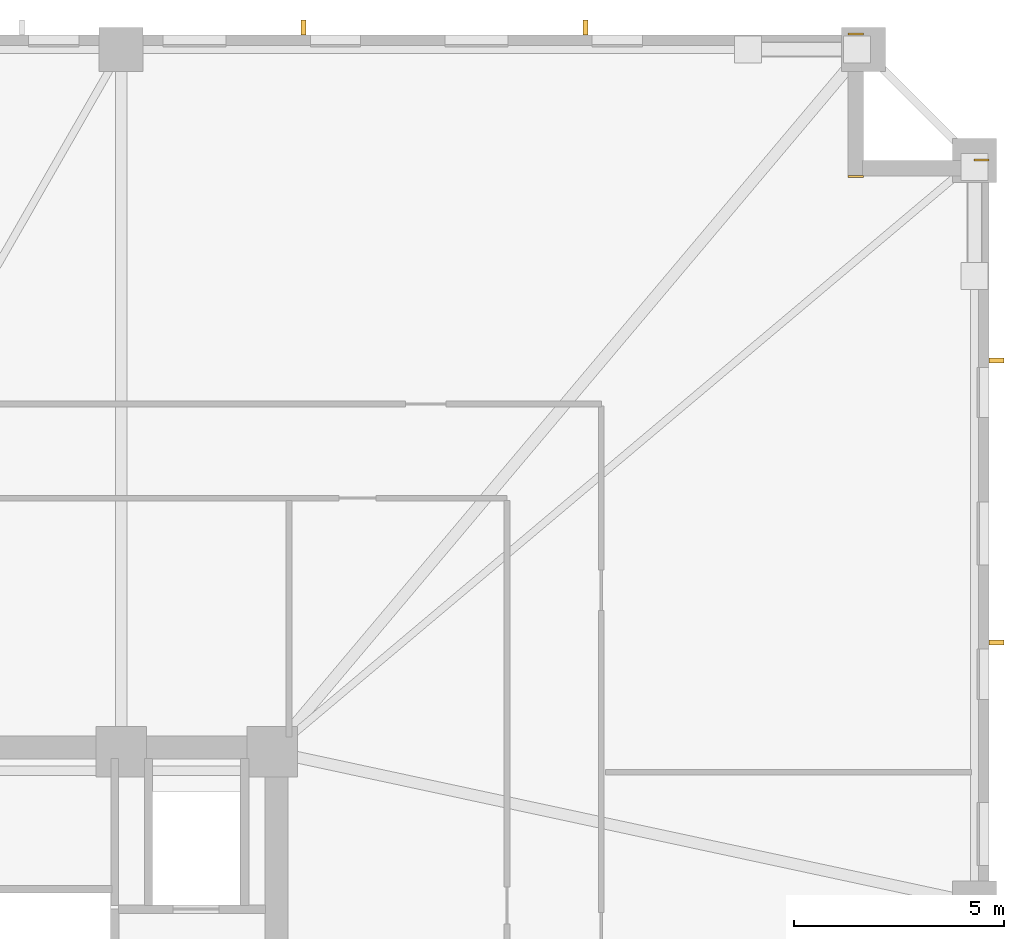
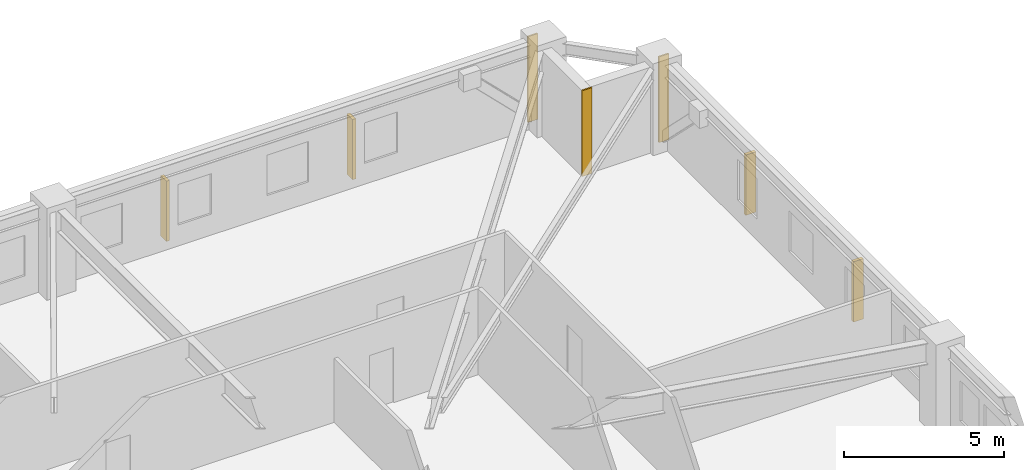
# One storey, part 11 of 11: 4 shading devices, 3 coverings.
"""IFC4 building model written with IfcOpenShell, lengths in metres."""

from ifc_helpers import new_model, si_unit, direction, frame, frame_2d, origin, origin_2d, place, context, subcontext, project, spatial, rectangle, extrude, material, layer, layer_set, type_object, element, save


model = new_model("IFC4")

# Units and contexts
model_context = context("Model", 3, precision=1e-05, world=origin(), true_north=direction((0.0, 1.0)))
body_context = subcontext(model_context, "Body", "Model", "MODEL_VIEW")
ifc_project = project(units=[si_unit("LENGTHUNIT", "METRE"), si_unit("AREAUNIT", "SQUARE_METRE"), si_unit("VOLUMEUNIT", "CUBIC_METRE"), si_unit("PLANEANGLEUNIT", "RADIAN"), si_unit("MASSUNIT", "GRAM", prefix="KILO")], contexts=[model_context])

# Site, building, storey
site_placement = place(None, origin())
site = spatial("IfcSite", under=ifc_project, at=site_placement, CompositionType="ELEMENT")
building_placement = place(site_placement, origin())
building = spatial("IfcBuilding", under=site, at=building_placement, Name="Cairnveth Concourse Tower", CompositionType="ELEMENT")
storey_placement = place(building_placement, frame((0.0, 0.0, 41.0)))
storey = spatial("IfcBuildingStorey", under=building, at=storey_placement, Name="L10", CompositionType="ELEMENT", Elevation=41.0)

# Coverings
ifc_material_1 = material(Name="Dressed Melbourne Bluestone Cladding", Category="masonry")
ifc_layer = layer(ifc_material_1, 0.050048828125)
ifc_layer_set = layer_set([ifc_layer], Name="Dressed Melbourne Bluestone Cladding")
covering_type = type_object("IfcCoveringType", Name="DRESSED BLUESTONE PLINTH CLADDING 50", PredefinedType="CLADDING", material=ifc_layer_set)
for number, where, z_axis, x_axis, name in (
    (1, (74.139892578125, 64.52001953125, 0.0), (0.0, 0.0, 1.0), (1.0, 0.0, 0.0), "Melbourne Bluestone Corner Quoin L10-110"),
    (2, (74.139892578125, 61.1201171875, 0.0), (0.0, 0.0, 1.0), (1.0, 0.0, 0.0), "Melbourne Bluestone Corner Quoin L10-111"),
    (3, (77.139892578125, 61.52001953125, 0.0), (0.0, 0.0, 1.0), (1.0, 0.0, 0.0), "Melbourne Bluestone Corner Quoin L10-112"),
):
    element("IfcCovering", number, at=place(storey_placement, frame(where, z_axis=z_axis, x_axis=x_axis)), inside=storey, type_object=covering_type, Name=name, PredefinedType="CLADDING", context=body_context, shape_type="SweptSolid", body=[
        extrude(rectangle(XDim=0.360107421875, YDim=0.050048828125, at=frame_2d((0.18017578125, 0.0))), origin(), (0.0, 0.0, 1.0), 3.280029296875),
    ])

# Shading devices
ifc_material_2 = material(Name="Architectural Bronze Anodised Aluminium 6063-T6", Category="aluminium")
shading_device_type = type_object("IfcShadingDeviceType", Name="GOTHIC BRONZE VERTICAL LANCET FIN", PredefinedType="USERDEFINED", material=ifc_material_2)
for number, where, z_axis, x_axis, name in (
    (4, (61.151611328125, 64.675048828125, 0.02978515625), (0.0, 0.0, 1.0), (1.0, 0.0, 0.0), "Gothic Bronze Vertical Fin L10-6-9"),
    (5, (67.871826171875, 64.675048828125, 0.02978515625), (0.0, 0.0, 1.0), (1.0, 0.0, 0.0), "Gothic Bronze Vertical Fin L10-6-11"),
    (6, (77.675048828125, 56.72998046875, 0.02978515625), (0.0, 0.0, 1.0), (0.0, 1.0, 0.0), "Gothic Bronze Vertical Fin L10-9-1"),
    (7, (77.675048828125, 50.009521484375, 0.02978515625), (0.0, 0.0, 1.0), (0.0, 1.0, 0.0), "Gothic Bronze Vertical Fin L10-9-3"),
):
    element("IfcShadingDevice", number, at=place(storey_placement, frame(where, z_axis=z_axis, x_axis=x_axis)), inside=storey, type_object=shading_device_type, Name=name, ObjectType="VERTICAL FIN", PredefinedType="USERDEFINED", context=body_context, shape_type="SweptSolid", body=[
        extrude(rectangle(XDim=0.1201171875, YDim=0.360107421875, at=origin_2d()), origin(), (0.0, 0.0, 1.0), 2.303955078125),
    ])

save(model, "model.ifc")
